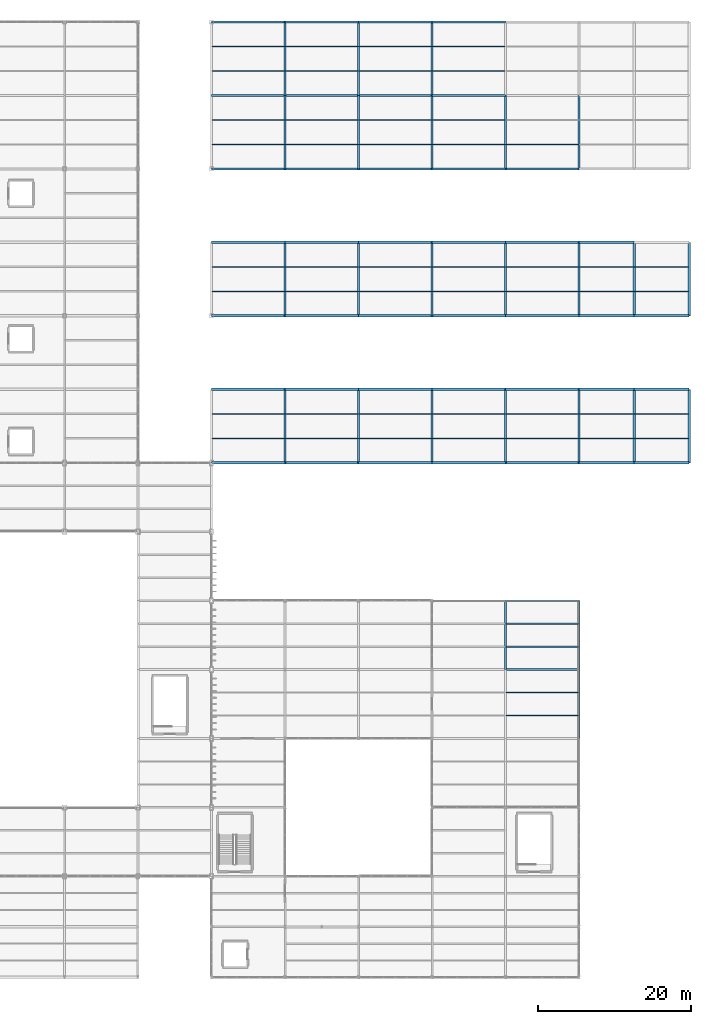
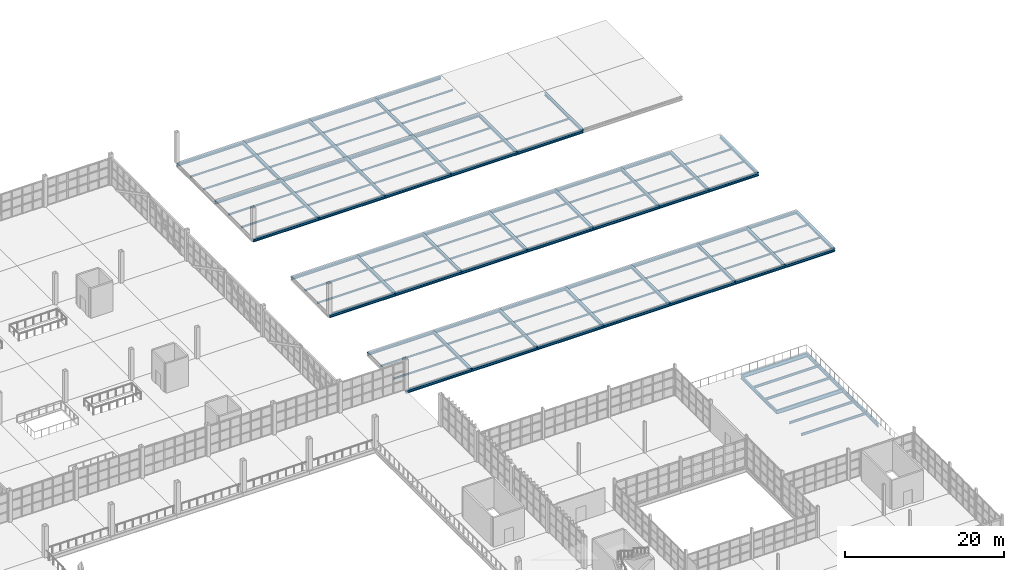
# One storey, part 71 of 120: 116 beams.
"""IFC4 building model written with IfcOpenShell, lengths in metres."""

from ifc_helpers import new_model, si_unit, direction, frame, origin, origin_2d, place, context, subcontext, project, spatial, i_section, extrude, material, material_profile, profile_set, type_object, element, save


model = new_model("IFC4")

# Units and contexts
model_context = context("Model", 3, precision=1e-05, world=origin(), true_north=direction((0.0, 1.0)))
body_context = subcontext(model_context, "Body", "Model", "MODEL_VIEW")
ifc_project = project(units=[si_unit("LENGTHUNIT", "METRE"), si_unit("AREAUNIT", "SQUARE_METRE"), si_unit("VOLUMEUNIT", "CUBIC_METRE"), si_unit("PLANEANGLEUNIT", "RADIAN"), si_unit("MASSUNIT", "GRAM", prefix="KILO")], contexts=[model_context])

# Site, building, storey
site_placement = place(None, origin())
site = spatial("IfcSite", under=ifc_project, at=site_placement, CompositionType="ELEMENT")
building_placement = place(site_placement, origin())
building = spatial("IfcBuilding", under=site, at=building_placement, Name="Zarnetskaya Central Station", CompositionType="ELEMENT")
storey_placement = place(building_placement, frame((0.0, 0.0, 5.39990234375)))
storey = spatial("IfcBuildingStorey", under=building, at=storey_placement, Name="L01", CompositionType="ELEMENT", Elevation=5.39990234375)

# Beams
ifc_material = material(Name="Steel S355", Category="steel")
ifc_material_profile_1 = material_profile(ifc_material, i_section(OverallWidth=0.135009765625, OverallDepth=0.27001953125, WebThickness=0.006591796875, FlangeThickness=0.01025390625, FilletRadius=0.014892578125, at=origin_2d()), Name="IPE 270")
ifc_profile_set_1 = profile_set([ifc_material_profile_1], Name="Steel S355")
beam_type_1 = type_object("IfcBeamType", Name="BM-JST-270", PredefinedType="JOIST", material=ifc_profile_set_1)
for number, where, z_axis, x_axis, name in (
    (1, (124.8798828125, 70.39990234375, -0.294921875), (1.0, 0.0, 0.0), (0.0, 1.0, 0.0), "Secondary floor beam SEC-L01-Z524-PQ-910-1"),
    (2, (124.8798828125, 73.60009765625, -0.294921875), (1.0, 0.0, 0.0), (0.0, 1.0, 0.0), "Secondary floor beam SEC-L01-Z524-PQ-910-2"),
    (3, (124.8798828125, 89.60009765625, -0.294921875), (1.0, 0.0, 0.0), (0.0, 1.0, 0.0), "Secondary floor beam SEC-L01-Z524-PQ-1112-1"),
    (4, (124.8798828125, 92.800048828125, -0.294921875), (1.0, 0.0, 0.0), (0.0, 1.0, 0.0), "Secondary floor beam SEC-L01-Z524-PQ-1112-2"),
    (5, (124.8798828125, 108.800048828125, -0.294921875), (1.0, 0.0, 0.0), (0.0, 1.0, 0.0), "Secondary floor beam SEC-L01-Z524-PQ-1314-1"),
    (6, (124.8798828125, 112.0, -0.294921875), (1.0, 0.0, 0.0), (0.0, 1.0, 0.0), "Secondary floor beam SEC-L01-Z524-PQ-1314-2"),
    (7, (124.8798828125, 118.39990234375, -0.294921875), (1.0, 0.0, 0.0), (0.0, 1.0, 0.0), "Secondary floor beam SEC-L01-Z524-PQ-1415-1"),
    (8, (124.8798828125, 121.60009765625, -0.294921875), (1.0, 0.0, 0.0), (0.0, 1.0, 0.0), "Secondary floor beam SEC-L01-Z524-PQ-1415-2"),
):
    element("IfcBeam", number, at=place(storey_placement, frame(where, z_axis=z_axis, x_axis=x_axis)), inside=storey, type_object=beam_type_1, Name=name, PredefinedType="JOIST", context=body_context, shape_type="SweptSolid", body=[
        extrude(i_section(OverallWidth=0.135009765625, OverallDepth=0.27001953125, WebThickness=0.006591796875, FlangeThickness=0.01025390625, FilletRadius=0.014892578125, at=origin_2d()), origin(), (0.0, 0.0, 1.0), 9.440185546875),
    ])
for number, where, z_axis, x_axis, name in (
    (9, (134.47998046875, 70.39990234375, -0.294921875), (1.0, 0.0, 0.0), (0.0, 1.0, 0.0), "Secondary floor beam SEC-L01-Z524-QR-910-1"),
    (10, (134.47998046875, 73.60009765625, -0.294921875), (1.0, 0.0, 0.0), (0.0, 1.0, 0.0), "Secondary floor beam SEC-L01-Z524-QR-910-2"),
    (11, (134.47998046875, 89.60009765625, -0.294921875), (1.0, 0.0, 0.0), (0.0, 1.0, 0.0), "Secondary floor beam SEC-L01-Z524-QR-1112-1"),
    (12, (134.47998046875, 92.800048828125, -0.294921875), (1.0, 0.0, 0.0), (0.0, 1.0, 0.0), "Secondary floor beam SEC-L01-Z524-QR-1112-2"),
    (13, (134.47998046875, 108.800048828125, -0.294921875), (1.0, 0.0, 0.0), (0.0, 1.0, 0.0), "Secondary floor beam SEC-L01-Z524-QR-1314-1"),
    (14, (134.47998046875, 112.0, -0.294921875), (1.0, 0.0, 0.0), (0.0, 1.0, 0.0), "Secondary floor beam SEC-L01-Z524-QR-1314-2"),
    (15, (134.47998046875, 118.39990234375, -0.294921875), (1.0, 0.0, 0.0), (0.0, 1.0, 0.0), "Secondary floor beam SEC-L01-Z524-QR-1415-1"),
    (16, (134.47998046875, 121.60009765625, -0.294921875), (1.0, 0.0, 0.0), (0.0, 1.0, 0.0), "Secondary floor beam SEC-L01-Z524-QR-1415-2"),
    (17, (144.080078125, 70.39990234375, -0.294921875), (1.0, 0.0, 0.0), (0.0, 1.0, 0.0), "Secondary floor beam SEC-L01-Z524-RS-910-1"),
    (18, (144.080078125, 73.60009765625, -0.294921875), (1.0, 0.0, 0.0), (0.0, 1.0, 0.0), "Secondary floor beam SEC-L01-Z524-RS-910-2"),
    (19, (144.080078125, 89.60009765625, -0.294921875), (1.0, 0.0, 0.0), (0.0, 1.0, 0.0), "Secondary floor beam SEC-L01-Z524-RS-1112-1"),
    (20, (144.080078125, 92.800048828125, -0.294921875), (1.0, 0.0, 0.0), (0.0, 1.0, 0.0), "Secondary floor beam SEC-L01-Z524-RS-1112-2"),
    (21, (144.080078125, 108.800048828125, -0.294921875), (1.0, 0.0, 0.0), (0.0, 1.0, 0.0), "Secondary floor beam SEC-L01-Z524-RS-1314-1"),
    (22, (144.080078125, 112.0, -0.294921875), (1.0, 0.0, 0.0), (0.0, 1.0, 0.0), "Secondary floor beam SEC-L01-Z524-RS-1314-2"),
    (23, (144.080078125, 118.39990234375, -0.294921875), (1.0, 0.0, 0.0), (0.0, 1.0, 0.0), "Secondary floor beam SEC-L01-Z524-RS-1415-1"),
    (24, (144.080078125, 121.60009765625, -0.294921875), (1.0, 0.0, 0.0), (0.0, 1.0, 0.0), "Secondary floor beam SEC-L01-Z524-RS-1415-2"),
):
    element("IfcBeam", number, at=place(storey_placement, frame(where, z_axis=z_axis, x_axis=x_axis)), inside=storey, type_object=beam_type_1, Name=name, PredefinedType="JOIST", context=body_context, shape_type="SweptSolid", body=[
        extrude(i_section(OverallWidth=0.135009765625, OverallDepth=0.27001953125, WebThickness=0.006591796875, FlangeThickness=0.01025390625, FilletRadius=0.014892578125, at=origin_2d()), origin(), (0.0, 0.0, 1.0), 9.43994140625),
    ])
for number, where, z_axis, x_axis, name in (
    (25, (153.679931640625, 70.39990234375, -0.294921875), (1.0, 0.0, 0.0), (0.0, 1.0, 0.0), "Secondary floor beam SEC-L01-Z524-ST-910-1"),
    (26, (153.679931640625, 73.60009765625, -0.294921875), (1.0, 0.0, 0.0), (0.0, 1.0, 0.0), "Secondary floor beam SEC-L01-Z524-ST-910-2"),
    (27, (153.679931640625, 89.60009765625, -0.294921875), (1.0, 0.0, 0.0), (0.0, 1.0, 0.0), "Secondary floor beam SEC-L01-Z524-ST-1112-1"),
    (28, (153.679931640625, 92.800048828125, -0.294921875), (1.0, 0.0, 0.0), (0.0, 1.0, 0.0), "Secondary floor beam SEC-L01-Z524-ST-1112-2"),
    (29, (153.679931640625, 108.800048828125, -0.294921875), (1.0, 0.0, 0.0), (0.0, 1.0, 0.0), "Secondary floor beam SEC-L01-Z524-ST-1314-1"),
    (30, (153.679931640625, 112.0, -0.294921875), (1.0, 0.0, 0.0), (0.0, 1.0, 0.0), "Secondary floor beam SEC-L01-Z524-ST-1314-2"),
    (31, (153.679931640625, 118.39990234375, -0.294921875), (1.0, 0.0, 0.0), (0.0, 1.0, 0.0), "Secondary floor beam SEC-L01-Z524-ST-1415-1"),
    (32, (153.679931640625, 121.60009765625, -0.294921875), (1.0, 0.0, 0.0), (0.0, 1.0, 0.0), "Secondary floor beam SEC-L01-Z524-ST-1415-2"),
):
    element("IfcBeam", number, at=place(storey_placement, frame(where, z_axis=z_axis, x_axis=x_axis)), inside=storey, type_object=beam_type_1, Name=name, PredefinedType="JOIST", context=body_context, shape_type="SweptSolid", body=[
        extrude(i_section(OverallWidth=0.135009765625, OverallDepth=0.27001953125, WebThickness=0.006591796875, FlangeThickness=0.01025390625, FilletRadius=0.014892578125, at=origin_2d()), origin(), (0.0, 0.0, 1.0), 9.440185546875),
    ])
for number, where, z_axis, x_axis, name in (
    (33, (163.280029296875, 70.39990234375, -0.294921875), (1.0, 0.0, 0.0), (0.0, 1.0, 0.0), "Secondary floor beam SEC-L01-Z524-TU-910-1"),
    (34, (163.280029296875, 73.60009765625, -0.294921875), (1.0, 0.0, 0.0), (0.0, 1.0, 0.0), "Secondary floor beam SEC-L01-Z524-TU-910-2"),
    (35, (163.280029296875, 89.60009765625, -0.294921875), (1.0, 0.0, 0.0), (0.0, 1.0, 0.0), "Secondary floor beam SEC-L01-Z524-TU-1112-1"),
    (36, (163.280029296875, 92.800048828125, -0.294921875), (1.0, 0.0, 0.0), (0.0, 1.0, 0.0), "Secondary floor beam SEC-L01-Z524-TU-1112-2"),
    (37, (163.280029296875, 108.800048828125, -0.294921875), (1.0, 0.0, 0.0), (0.0, 1.0, 0.0), "Secondary floor beam SEC-L01-Z524-TU-1314-1"),
):
    element("IfcBeam", number, at=place(storey_placement, frame(where, z_axis=z_axis, x_axis=x_axis)), inside=storey, type_object=beam_type_1, Name=name, PredefinedType="JOIST", context=body_context, shape_type="SweptSolid", body=[
        extrude(i_section(OverallWidth=0.135009765625, OverallDepth=0.27001953125, WebThickness=0.006591796875, FlangeThickness=0.01025390625, FilletRadius=0.014892578125, at=origin_2d()), origin(), (0.0, 0.0, 1.0), 9.43994140625),
    ])
for number, where, z_axis, x_axis, name in (
    (38, (172.8798828125, 70.39990234375, -0.294921875), (1.0, 0.0, 0.0), (0.0, 1.0, 0.0), "Secondary floor beam SEC-L01-Z524-UV-910-1"),
    (39, (172.8798828125, 73.60009765625, -0.294921875), (1.0, 0.0, 0.0), (0.0, 1.0, 0.0), "Secondary floor beam SEC-L01-Z524-UV-910-2"),
    (40, (172.8798828125, 89.60009765625, -0.294921875), (1.0, 0.0, 0.0), (0.0, 1.0, 0.0), "Secondary floor beam SEC-L01-Z524-UV-1112-1"),
    (41, (172.8798828125, 92.800048828125, -0.294921875), (1.0, 0.0, 0.0), (0.0, 1.0, 0.0), "Secondary floor beam SEC-L01-Z524-UV-1112-2"),
    (42, (180.080078125, 70.39990234375, -0.294921875), (1.0, 0.0, 0.0), (0.0, 1.0, 0.0), "Secondary floor beam SEC-L01-Z524-VW-910-1"),
    (43, (180.080078125, 73.60009765625, -0.294921875), (1.0, 0.0, 0.0), (0.0, 1.0, 0.0), "Secondary floor beam SEC-L01-Z524-VW-910-2"),
    (44, (180.080078125, 89.60009765625, -0.294921875), (1.0, 0.0, 0.0), (0.0, 1.0, 0.0), "Secondary floor beam SEC-L01-Z524-VW-1112-1"),
    (45, (180.080078125, 92.800048828125, -0.294921875), (1.0, 0.0, 0.0), (0.0, 1.0, 0.0), "Secondary floor beam SEC-L01-Z524-VW-1112-2"),
):
    element("IfcBeam", number, at=place(storey_placement, frame(where, z_axis=z_axis, x_axis=x_axis)), inside=storey, type_object=beam_type_1, Name=name, PredefinedType="JOIST", context=body_context, shape_type="SweptSolid", body=[
        extrude(i_section(OverallWidth=0.135009765625, OverallDepth=0.27001953125, WebThickness=0.006591796875, FlangeThickness=0.01025390625, FilletRadius=0.014892578125, at=origin_2d()), origin(), (0.0, 0.0, 1.0), 7.0400390625),
    ])
ifc_material_profile_2 = material_profile(ifc_material, i_section(OverallWidth=0.169921875, OverallDepth=0.360107421875, WebThickness=0.008056640625, FlangeThickness=0.0126953125, FilletRadius=0.01806640625, at=origin_2d()), Name="IPE 360")
ifc_profile_set_2 = profile_set([ifc_material_profile_2], Name="Steel S355")
beam_type_2 = type_object("IfcBeamType", Name="BM-SEC-360", PredefinedType="BEAM", material=ifc_profile_set_2)
for number, where, z_axis, x_axis, name in (
    (46, (163.280029296875, 34.199951171875, -0.39990234375), (1.0, 0.0, 0.0), (0.0, 1.0, 0.0), "Secondary floor beam SEC-L01-Z518-TU-56-1"),
    (47, (163.280029296875, 37.199951171875, -0.39990234375), (1.0, 0.0, 0.0), (0.0, 1.0, 0.0), "Secondary floor beam SEC-L01-Z518-TU-56-2"),
    (48, (163.280029296875, 43.199951171875, -0.39990234375), (1.0, 0.0, 0.0), (0.0, 1.0, 0.0), "Secondary floor beam SEC-L01-Z518-TU-67-1"),
    (49, (163.280029296875, 46.199951171875, -0.39990234375), (1.0, 0.0, 0.0), (0.0, 1.0, 0.0), "Secondary floor beam SEC-L01-Z518-TU-67-2"),
):
    element("IfcBeam", number, at=place(storey_placement, frame(where, z_axis=z_axis, x_axis=x_axis)), inside=storey, type_object=beam_type_2, Name=name, PredefinedType="BEAM", context=body_context, shape_type="SweptSolid", body=[
        extrude(i_section(OverallWidth=0.169921875, OverallDepth=0.360107421875, WebThickness=0.008056640625, FlangeThickness=0.0126953125, FilletRadius=0.01806640625, at=origin_2d()), origin(), (0.0, 0.0, 1.0), 9.43994140625),
    ])
ifc_material_profile_3 = material_profile(ifc_material, i_section(OverallWidth=0.2099609375, OverallDepth=0.550048828125, WebThickness=0.010986328125, FlangeThickness=0.01708984375, FilletRadius=0.02392578125, at=origin_2d()), Name="IPE 550")
ifc_profile_set_3 = profile_set([ifc_material_profile_3], Name="Steel S355")
beam_type_3 = type_object("IfcBeamType", Name="GD-FLR-550", PredefinedType="USERDEFINED", material=ifc_profile_set_3)
for number, where, z_axis, x_axis, name in (
    (50, (163.199951171875, 40.199951171875, -0.494873046875), (0.0, 1.0, 0.0), (-1.0, 0.0, 0.0), "Grid girder GY-L01-T-67"),
    (51, (172.800048828125, 31.199951171875, -0.494873046875), (0.0, 1.0, 0.0), (-1.0, 0.0, 0.0), "Grid girder GY-L01-U-56"),
    (52, (172.800048828125, 40.199951171875, -0.494873046875), (0.0, 1.0, 0.0), (-1.0, 0.0, 0.0), "Grid girder GY-L01-U-67"),
):
    element("IfcBeam", number, at=place(storey_placement, frame(where, z_axis=z_axis, x_axis=x_axis)), inside=storey, type_object=beam_type_3, Name=name, ObjectType="GIRDER", PredefinedType="USERDEFINED", context=body_context, shape_type="SweptSolid", body=[
        extrude(i_section(OverallWidth=0.2099609375, OverallDepth=0.550048828125, WebThickness=0.010986328125, FlangeThickness=0.01708984375, FilletRadius=0.02392578125, at=origin_2d()), origin(), (0.0, 0.0, 1.0), 9.0),
    ])
ifc_material_profile_4 = material_profile(ifc_material, i_section(OverallWidth=0.219970703125, OverallDepth=0.60009765625, WebThickness=0.011962890625, FlangeThickness=0.01904296875, FilletRadius=0.02392578125, at=origin_2d()), Name="IPE 600")
ifc_profile_set_4 = profile_set([ifc_material_profile_4], Name="Steel S355")
beam_type_4 = type_object("IfcBeamType", Name="GD-FLR-600", PredefinedType="USERDEFINED", material=ifc_profile_set_4)
for number, where, z_axis, x_axis, name in (
    (53, (163.199951171875, 40.199951171875, -0.52001953125), (1.0, 0.0, 0.0), (0.0, 1.0, 0.0), "Grid girder GX-L01-6-TU"),
    (54, (163.199951171875, 49.199951171875, -0.52001953125), (1.0, 0.0, 0.0), (0.0, 1.0, 0.0), "Grid girder GX-L01-7-TU"),
):
    element("IfcBeam", number, at=place(storey_placement, frame(where, z_axis=z_axis, x_axis=x_axis)), inside=storey, type_object=beam_type_4, Name=name, ObjectType="GIRDER", PredefinedType="USERDEFINED", context=body_context, shape_type="SweptSolid", body=[
        extrude(i_section(OverallWidth=0.219970703125, OverallDepth=0.60009765625, WebThickness=0.011962890625, FlangeThickness=0.01904296875, FilletRadius=0.02392578125, at=origin_2d()), origin(), (0.0, 0.0, 1.0), 9.60009765625),
    ])
ifc_material_profile_5 = material_profile(ifc_material, i_section(OverallWidth=0.300048828125, OverallDepth=0.389892578125, WebThickness=0.010986328125, FlangeThickness=0.01904296875, FilletRadius=0.027099609375, at=origin_2d()), Name="HEA 400")
ifc_profile_set_5 = profile_set([ifc_material_profile_5], Name="Steel S355")
beam_type_5 = type_object("IfcBeamType", Name="GD-ROOF-400", PredefinedType="USERDEFINED", material=ifc_profile_set_5)
for number, where, z_axis, x_axis, name in (
    (55, (124.800048828125, 67.199951171875, -0.35498046875), (1.0, 0.0, 0.0), (0.0, 1.0, 0.0), "Grid girder GX-L01-9-PQ"),
    (56, (124.800048828125, 76.800048828125, -0.35498046875), (1.0, 0.0, 0.0), (0.0, 1.0, 0.0), "Grid girder GX-L01-10-PQ"),
    (57, (124.800048828125, 86.39990234375, -0.35498046875), (1.0, 0.0, 0.0), (0.0, 1.0, 0.0), "Grid girder GX-L01-11-PQ"),
    (58, (124.800048828125, 96.0, -0.35498046875), (1.0, 0.0, 0.0), (0.0, 1.0, 0.0), "Grid girder GX-L01-12-PQ"),
    (59, (124.800048828125, 105.60009765625, -0.35498046875), (1.0, 0.0, 0.0), (0.0, 1.0, 0.0), "Grid girder GX-L01-13-PQ"),
    (60, (124.800048828125, 115.199951171875, -0.35498046875), (1.0, 0.0, 0.0), (0.0, 1.0, 0.0), "Grid girder GX-L01-14-PQ"),
    (61, (124.800048828125, 124.800048828125, -0.35498046875), (1.0, 0.0, 0.0), (0.0, 1.0, 0.0), "Grid girder GX-L01-15-PQ"),
):
    element("IfcBeam", number, at=place(storey_placement, frame(where, z_axis=z_axis, x_axis=x_axis)), inside=storey, type_object=beam_type_5, Name=name, ObjectType="GIRDER", PredefinedType="USERDEFINED", context=body_context, shape_type="SweptSolid", body=[
        extrude(i_section(OverallWidth=0.300048828125, OverallDepth=0.389892578125, WebThickness=0.010986328125, FlangeThickness=0.01904296875, FilletRadius=0.027099609375, at=origin_2d()), origin(), (0.0, 0.0, 1.0), 9.599853515625),
    ])
for number, where, z_axis, x_axis, name in (
    (62, (134.39990234375, 67.199951171875, -0.35498046875), (0.0, 1.0, 0.0), (-1.0, 0.0, 0.0), "Grid girder GY-L01-Q-910"),
    (63, (134.39990234375, 67.199951171875, -0.35498046875), (1.0, 0.0, 0.0), (0.0, 1.0, 0.0), "Grid girder GX-L01-9-QR"),
    (64, (134.39990234375, 76.800048828125, -0.35498046875), (1.0, 0.0, 0.0), (0.0, 1.0, 0.0), "Grid girder GX-L01-10-QR"),
    (65, (134.39990234375, 86.39990234375, -0.35498046875), (0.0, 1.0, 0.0), (-1.0, 0.0, 0.0), "Grid girder GY-L01-Q-1112"),
    (66, (134.39990234375, 86.39990234375, -0.35498046875), (1.0, 0.0, 0.0), (0.0, 1.0, 0.0), "Grid girder GX-L01-11-QR"),
    (67, (134.39990234375, 96.0, -0.35498046875), (1.0, 0.0, 0.0), (0.0, 1.0, 0.0), "Grid girder GX-L01-12-QR"),
):
    element("IfcBeam", number, at=place(storey_placement, frame(where, z_axis=z_axis, x_axis=x_axis)), inside=storey, type_object=beam_type_5, Name=name, ObjectType="GIRDER", PredefinedType="USERDEFINED", context=body_context, shape_type="SweptSolid", body=[
        extrude(i_section(OverallWidth=0.300048828125, OverallDepth=0.389892578125, WebThickness=0.010986328125, FlangeThickness=0.01904296875, FilletRadius=0.027099609375, at=origin_2d()), origin(), (0.0, 0.0, 1.0), 9.60009765625),
    ])
beam_1_placement = place(storey_placement, frame((134.39990234375, 105.60009765625, -0.35498046875), z_axis=(0.0, 1.0, 0.0), x_axis=(-1.0, 0.0, 0.0)))
element("IfcBeam", 68, at=beam_1_placement, inside=storey, type_object=beam_type_5, Name="Grid girder GY-L01-Q-1314", ObjectType="GIRDER", PredefinedType="USERDEFINED", context=body_context, shape_type="SweptSolid", body=[
    extrude(i_section(OverallWidth=0.300048828125, OverallDepth=0.389892578125, WebThickness=0.010986328125, FlangeThickness=0.01904296875, FilletRadius=0.027099609375, at=origin_2d()), origin(), (0.0, 0.0, 1.0), 9.599853515625),
])
for number, where, z_axis, x_axis, name in (
    (69, (134.39990234375, 105.60009765625, -0.35498046875), (1.0, 0.0, 0.0), (0.0, 1.0, 0.0), "Grid girder GX-L01-13-QR"),
    (70, (134.39990234375, 115.199951171875, -0.35498046875), (0.0, 1.0, 0.0), (-1.0, 0.0, 0.0), "Grid girder GY-L01-Q-1415"),
    (71, (134.39990234375, 115.199951171875, -0.35498046875), (1.0, 0.0, 0.0), (0.0, 1.0, 0.0), "Grid girder GX-L01-14-QR"),
    (72, (134.39990234375, 124.800048828125, -0.35498046875), (1.0, 0.0, 0.0), (0.0, 1.0, 0.0), "Grid girder GX-L01-15-QR"),
    (73, (144.0, 67.199951171875, -0.35498046875), (0.0, 1.0, 0.0), (-1.0, 0.0, 0.0), "Grid girder GY-L01-R-910"),
    (74, (144.0, 67.199951171875, -0.35498046875), (1.0, 0.0, 0.0), (0.0, 1.0, 0.0), "Grid girder GX-L01-9-RS"),
    (75, (144.0, 76.800048828125, -0.35498046875), (1.0, 0.0, 0.0), (0.0, 1.0, 0.0), "Grid girder GX-L01-10-RS"),
    (76, (144.0, 86.39990234375, -0.35498046875), (0.0, 1.0, 0.0), (-1.0, 0.0, 0.0), "Grid girder GY-L01-R-1112"),
    (77, (144.0, 86.39990234375, -0.35498046875), (1.0, 0.0, 0.0), (0.0, 1.0, 0.0), "Grid girder GX-L01-11-RS"),
    (78, (144.0, 96.0, -0.35498046875), (1.0, 0.0, 0.0), (0.0, 1.0, 0.0), "Grid girder GX-L01-12-RS"),
):
    element("IfcBeam", number, at=place(storey_placement, frame(where, z_axis=z_axis, x_axis=x_axis)), inside=storey, type_object=beam_type_5, Name=name, ObjectType="GIRDER", PredefinedType="USERDEFINED", context=body_context, shape_type="SweptSolid", body=[
        extrude(i_section(OverallWidth=0.300048828125, OverallDepth=0.389892578125, WebThickness=0.010986328125, FlangeThickness=0.01904296875, FilletRadius=0.027099609375, at=origin_2d()), origin(), (0.0, 0.0, 1.0), 9.60009765625),
    ])
beam_2_placement = place(storey_placement, frame((144.0, 105.60009765625, -0.35498046875), z_axis=(0.0, 1.0, 0.0), x_axis=(-1.0, 0.0, 0.0)))
element("IfcBeam", 79, at=beam_2_placement, inside=storey, type_object=beam_type_5, Name="Grid girder GY-L01-R-1314", ObjectType="GIRDER", PredefinedType="USERDEFINED", context=body_context, shape_type="SweptSolid", body=[
    extrude(i_section(OverallWidth=0.300048828125, OverallDepth=0.389892578125, WebThickness=0.010986328125, FlangeThickness=0.01904296875, FilletRadius=0.027099609375, at=origin_2d()), origin(), (0.0, 0.0, 1.0), 9.599853515625),
])
for number, where, z_axis, x_axis, name in (
    (80, (144.0, 105.60009765625, -0.35498046875), (1.0, 0.0, 0.0), (0.0, 1.0, 0.0), "Grid girder GX-L01-13-RS"),
    (81, (144.0, 115.199951171875, -0.35498046875), (0.0, 1.0, 0.0), (-1.0, 0.0, 0.0), "Grid girder GY-L01-R-1415"),
    (82, (144.0, 115.199951171875, -0.35498046875), (1.0, 0.0, 0.0), (0.0, 1.0, 0.0), "Grid girder GX-L01-14-RS"),
    (83, (144.0, 124.800048828125, -0.35498046875), (1.0, 0.0, 0.0), (0.0, 1.0, 0.0), "Grid girder GX-L01-15-RS"),
    (84, (153.60009765625, 67.199951171875, -0.35498046875), (0.0, 1.0, 0.0), (-1.0, 0.0, 0.0), "Grid girder GY-L01-S-910"),
):
    element("IfcBeam", number, at=place(storey_placement, frame(where, z_axis=z_axis, x_axis=x_axis)), inside=storey, type_object=beam_type_5, Name=name, ObjectType="GIRDER", PredefinedType="USERDEFINED", context=body_context, shape_type="SweptSolid", body=[
        extrude(i_section(OverallWidth=0.300048828125, OverallDepth=0.389892578125, WebThickness=0.010986328125, FlangeThickness=0.01904296875, FilletRadius=0.027099609375, at=origin_2d()), origin(), (0.0, 0.0, 1.0), 9.60009765625),
    ])
for number, where, z_axis, x_axis, name in (
    (85, (153.60009765625, 67.199951171875, -0.35498046875), (1.0, 0.0, 0.0), (0.0, 1.0, 0.0), "Grid girder GX-L01-9-ST"),
    (86, (153.60009765625, 76.800048828125, -0.35498046875), (1.0, 0.0, 0.0), (0.0, 1.0, 0.0), "Grid girder GX-L01-10-ST"),
):
    element("IfcBeam", number, at=place(storey_placement, frame(where, z_axis=z_axis, x_axis=x_axis)), inside=storey, type_object=beam_type_5, Name=name, ObjectType="GIRDER", PredefinedType="USERDEFINED", context=body_context, shape_type="SweptSolid", body=[
        extrude(i_section(OverallWidth=0.300048828125, OverallDepth=0.389892578125, WebThickness=0.010986328125, FlangeThickness=0.01904296875, FilletRadius=0.027099609375, at=origin_2d()), origin(), (0.0, 0.0, 1.0), 9.599853515625),
    ])
beam_3_placement = place(storey_placement, frame((153.60009765625, 86.39990234375, -0.35498046875), z_axis=(0.0, 1.0, 0.0), x_axis=(-1.0, 0.0, 0.0)))
element("IfcBeam", 87, at=beam_3_placement, inside=storey, type_object=beam_type_5, Name="Grid girder GY-L01-S-1112", ObjectType="GIRDER", PredefinedType="USERDEFINED", context=body_context, shape_type="SweptSolid", body=[
    extrude(i_section(OverallWidth=0.300048828125, OverallDepth=0.389892578125, WebThickness=0.010986328125, FlangeThickness=0.01904296875, FilletRadius=0.027099609375, at=origin_2d()), origin(), (0.0, 0.0, 1.0), 9.60009765625),
])
for number, where, z_axis, x_axis, name in (
    (88, (153.60009765625, 86.39990234375, -0.35498046875), (1.0, 0.0, 0.0), (0.0, 1.0, 0.0), "Grid girder GX-L01-11-ST"),
    (89, (153.60009765625, 96.0, -0.35498046875), (1.0, 0.0, 0.0), (0.0, 1.0, 0.0), "Grid girder GX-L01-12-ST"),
    (90, (153.60009765625, 105.60009765625, -0.35498046875), (0.0, 1.0, 0.0), (-1.0, 0.0, 0.0), "Grid girder GY-L01-S-1314"),
    (91, (153.60009765625, 105.60009765625, -0.35498046875), (1.0, 0.0, 0.0), (0.0, 1.0, 0.0), "Grid girder GX-L01-13-ST"),
):
    element("IfcBeam", number, at=place(storey_placement, frame(where, z_axis=z_axis, x_axis=x_axis)), inside=storey, type_object=beam_type_5, Name=name, ObjectType="GIRDER", PredefinedType="USERDEFINED", context=body_context, shape_type="SweptSolid", body=[
        extrude(i_section(OverallWidth=0.300048828125, OverallDepth=0.389892578125, WebThickness=0.010986328125, FlangeThickness=0.01904296875, FilletRadius=0.027099609375, at=origin_2d()), origin(), (0.0, 0.0, 1.0), 9.599853515625),
    ])
beam_4_placement = place(storey_placement, frame((153.60009765625, 115.199951171875, -0.35498046875), z_axis=(0.0, 1.0, 0.0), x_axis=(-1.0, 0.0, 0.0)))
element("IfcBeam", 92, at=beam_4_placement, inside=storey, type_object=beam_type_5, Name="Grid girder GY-L01-S-1415", ObjectType="GIRDER", PredefinedType="USERDEFINED", context=body_context, shape_type="SweptSolid", body=[
    extrude(i_section(OverallWidth=0.300048828125, OverallDepth=0.389892578125, WebThickness=0.010986328125, FlangeThickness=0.01904296875, FilletRadius=0.027099609375, at=origin_2d()), origin(), (0.0, 0.0, 1.0), 9.60009765625),
])
for number, where, z_axis, x_axis, name in (
    (93, (153.60009765625, 115.199951171875, -0.35498046875), (1.0, 0.0, 0.0), (0.0, 1.0, 0.0), "Grid girder GX-L01-14-ST"),
    (94, (153.60009765625, 124.800048828125, -0.35498046875), (1.0, 0.0, 0.0), (0.0, 1.0, 0.0), "Grid girder GX-L01-15-ST"),
):
    element("IfcBeam", number, at=place(storey_placement, frame(where, z_axis=z_axis, x_axis=x_axis)), inside=storey, type_object=beam_type_5, Name=name, ObjectType="GIRDER", PredefinedType="USERDEFINED", context=body_context, shape_type="SweptSolid", body=[
        extrude(i_section(OverallWidth=0.300048828125, OverallDepth=0.389892578125, WebThickness=0.010986328125, FlangeThickness=0.01904296875, FilletRadius=0.027099609375, at=origin_2d()), origin(), (0.0, 0.0, 1.0), 9.599853515625),
    ])
for number, where, z_axis, x_axis, name in (
    (95, (163.199951171875, 67.199951171875, -0.35498046875), (0.0, 1.0, 0.0), (-1.0, 0.0, 0.0), "Grid girder GY-L01-T-910"),
    (96, (163.199951171875, 67.199951171875, -0.35498046875), (1.0, 0.0, 0.0), (0.0, 1.0, 0.0), "Grid girder GX-L01-9-TU"),
    (97, (163.199951171875, 76.800048828125, -0.35498046875), (1.0, 0.0, 0.0), (0.0, 1.0, 0.0), "Grid girder GX-L01-10-TU"),
    (98, (163.199951171875, 86.39990234375, -0.35498046875), (0.0, 1.0, 0.0), (-1.0, 0.0, 0.0), "Grid girder GY-L01-T-1112"),
    (99, (163.199951171875, 86.39990234375, -0.35498046875), (1.0, 0.0, 0.0), (0.0, 1.0, 0.0), "Grid girder GX-L01-11-TU"),
    (100, (163.199951171875, 96.0, -0.35498046875), (1.0, 0.0, 0.0), (0.0, 1.0, 0.0), "Grid girder GX-L01-12-TU"),
):
    element("IfcBeam", number, at=place(storey_placement, frame(where, z_axis=z_axis, x_axis=x_axis)), inside=storey, type_object=beam_type_5, Name=name, ObjectType="GIRDER", PredefinedType="USERDEFINED", context=body_context, shape_type="SweptSolid", body=[
        extrude(i_section(OverallWidth=0.300048828125, OverallDepth=0.389892578125, WebThickness=0.010986328125, FlangeThickness=0.01904296875, FilletRadius=0.027099609375, at=origin_2d()), origin(), (0.0, 0.0, 1.0), 9.60009765625),
    ])
beam_5_placement = place(storey_placement, frame((163.199951171875, 105.60009765625, -0.35498046875), z_axis=(0.0, 1.0, 0.0), x_axis=(-1.0, 0.0, 0.0)))
element("IfcBeam", 101, at=beam_5_placement, inside=storey, type_object=beam_type_5, Name="Grid girder GY-L01-T-1314", ObjectType="GIRDER", PredefinedType="USERDEFINED", context=body_context, shape_type="SweptSolid", body=[
    extrude(i_section(OverallWidth=0.300048828125, OverallDepth=0.389892578125, WebThickness=0.010986328125, FlangeThickness=0.01904296875, FilletRadius=0.027099609375, at=origin_2d()), origin(), (0.0, 0.0, 1.0), 9.599853515625),
])
for number, where, z_axis, x_axis, name in (
    (102, (163.199951171875, 105.60009765625, -0.35498046875), (1.0, 0.0, 0.0), (0.0, 1.0, 0.0), "Grid girder GX-L01-13-TU"),
    (103, (172.800048828125, 67.199951171875, -0.35498046875), (0.0, 1.0, 0.0), (-1.0, 0.0, 0.0), "Grid girder GY-L01-U-910"),
):
    element("IfcBeam", number, at=place(storey_placement, frame(where, z_axis=z_axis, x_axis=x_axis)), inside=storey, type_object=beam_type_5, Name=name, ObjectType="GIRDER", PredefinedType="USERDEFINED", context=body_context, shape_type="SweptSolid", body=[
        extrude(i_section(OverallWidth=0.300048828125, OverallDepth=0.389892578125, WebThickness=0.010986328125, FlangeThickness=0.01904296875, FilletRadius=0.027099609375, at=origin_2d()), origin(), (0.0, 0.0, 1.0), 9.60009765625),
    ])
for number, where, z_axis, x_axis, name in (
    (104, (172.800048828125, 67.199951171875, -0.35498046875), (1.0, 0.0, 0.0), (0.0, 1.0, 0.0), "Grid girder GX-L01-9-UV"),
    (105, (172.800048828125, 76.800048828125, -0.35498046875), (1.0, 0.0, 0.0), (0.0, 1.0, 0.0), "Grid girder GX-L01-10-UV"),
):
    element("IfcBeam", number, at=place(storey_placement, frame(where, z_axis=z_axis, x_axis=x_axis)), inside=storey, type_object=beam_type_5, Name=name, ObjectType="GIRDER", PredefinedType="USERDEFINED", context=body_context, shape_type="SweptSolid", body=[
        extrude(i_section(OverallWidth=0.300048828125, OverallDepth=0.389892578125, WebThickness=0.010986328125, FlangeThickness=0.01904296875, FilletRadius=0.027099609375, at=origin_2d()), origin(), (0.0, 0.0, 1.0), 7.199951171875),
    ])
beam_6_placement = place(storey_placement, frame((172.800048828125, 86.39990234375, -0.35498046875), z_axis=(0.0, 1.0, 0.0), x_axis=(-1.0, 0.0, 0.0)))
element("IfcBeam", 106, at=beam_6_placement, inside=storey, type_object=beam_type_5, Name="Grid girder GY-L01-U-1112", ObjectType="GIRDER", PredefinedType="USERDEFINED", context=body_context, shape_type="SweptSolid", body=[
    extrude(i_section(OverallWidth=0.300048828125, OverallDepth=0.389892578125, WebThickness=0.010986328125, FlangeThickness=0.01904296875, FilletRadius=0.027099609375, at=origin_2d()), origin(), (0.0, 0.0, 1.0), 9.60009765625),
])
for number, where, z_axis, x_axis, name in (
    (107, (172.800048828125, 86.39990234375, -0.35498046875), (1.0, 0.0, 0.0), (0.0, 1.0, 0.0), "Grid girder GX-L01-11-UV"),
    (108, (172.800048828125, 96.0, -0.35498046875), (1.0, 0.0, 0.0), (0.0, 1.0, 0.0), "Grid girder GX-L01-12-UV"),
):
    element("IfcBeam", number, at=place(storey_placement, frame(where, z_axis=z_axis, x_axis=x_axis)), inside=storey, type_object=beam_type_5, Name=name, ObjectType="GIRDER", PredefinedType="USERDEFINED", context=body_context, shape_type="SweptSolid", body=[
        extrude(i_section(OverallWidth=0.300048828125, OverallDepth=0.389892578125, WebThickness=0.010986328125, FlangeThickness=0.01904296875, FilletRadius=0.027099609375, at=origin_2d()), origin(), (0.0, 0.0, 1.0), 7.199951171875),
    ])
beam_7_placement = place(storey_placement, frame((172.800048828125, 105.60009765625, -0.35498046875), z_axis=(0.0, 1.0, 0.0), x_axis=(-1.0, 0.0, 0.0)))
element("IfcBeam", 109, at=beam_7_placement, inside=storey, type_object=beam_type_5, Name="Grid girder GY-L01-U-1314", ObjectType="GIRDER", PredefinedType="USERDEFINED", context=body_context, shape_type="SweptSolid", body=[
    extrude(i_section(OverallWidth=0.300048828125, OverallDepth=0.389892578125, WebThickness=0.010986328125, FlangeThickness=0.01904296875, FilletRadius=0.027099609375, at=origin_2d()), origin(), (0.0, 0.0, 1.0), 9.599853515625),
])
beam_8_placement = place(storey_placement, frame((180.0, 67.199951171875, -0.35498046875), z_axis=(0.0, 1.0, 0.0), x_axis=(-1.0, 0.0, 0.0)))
element("IfcBeam", 110, at=beam_8_placement, inside=storey, type_object=beam_type_5, Name="Grid girder GY-L01-V-910", ObjectType="GIRDER", PredefinedType="USERDEFINED", context=body_context, shape_type="SweptSolid", body=[
    extrude(i_section(OverallWidth=0.300048828125, OverallDepth=0.389892578125, WebThickness=0.010986328125, FlangeThickness=0.01904296875, FilletRadius=0.027099609375, at=origin_2d()), origin(), (0.0, 0.0, 1.0), 9.60009765625),
])
for number, where, z_axis, x_axis, name in (
    (111, (180.0, 67.199951171875, -0.35498046875), (1.0, 0.0, 0.0), (0.0, 1.0, 0.0), "Grid girder GX-L01-9-VW"),
    (112, (180.0, 76.800048828125, -0.35498046875), (1.0, 0.0, 0.0), (0.0, 1.0, 0.0), "Grid girder GX-L01-10-VW"),
):
    element("IfcBeam", number, at=place(storey_placement, frame(where, z_axis=z_axis, x_axis=x_axis)), inside=storey, type_object=beam_type_5, Name=name, ObjectType="GIRDER", PredefinedType="USERDEFINED", context=body_context, shape_type="SweptSolid", body=[
        extrude(i_section(OverallWidth=0.300048828125, OverallDepth=0.389892578125, WebThickness=0.010986328125, FlangeThickness=0.01904296875, FilletRadius=0.027099609375, at=origin_2d()), origin(), (0.0, 0.0, 1.0), 7.199951171875),
    ])
beam_9_placement = place(storey_placement, frame((180.0, 86.39990234375, -0.35498046875), z_axis=(0.0, 1.0, 0.0), x_axis=(-1.0, 0.0, 0.0)))
element("IfcBeam", 113, at=beam_9_placement, inside=storey, type_object=beam_type_5, Name="Grid girder GY-L01-V-1112", ObjectType="GIRDER", PredefinedType="USERDEFINED", context=body_context, shape_type="SweptSolid", body=[
    extrude(i_section(OverallWidth=0.300048828125, OverallDepth=0.389892578125, WebThickness=0.010986328125, FlangeThickness=0.01904296875, FilletRadius=0.027099609375, at=origin_2d()), origin(), (0.0, 0.0, 1.0), 9.60009765625),
])
beam_10_placement = place(storey_placement, frame((180.0, 86.39990234375, -0.35498046875), z_axis=(1.0, 0.0, 0.0), x_axis=(0.0, 1.0, 0.0)))
element("IfcBeam", 114, at=beam_10_placement, inside=storey, type_object=beam_type_5, Name="Grid girder GX-L01-11-VW", ObjectType="GIRDER", PredefinedType="USERDEFINED", context=body_context, shape_type="SweptSolid", body=[
    extrude(i_section(OverallWidth=0.300048828125, OverallDepth=0.389892578125, WebThickness=0.010986328125, FlangeThickness=0.01904296875, FilletRadius=0.027099609375, at=origin_2d()), origin(), (0.0, 0.0, 1.0), 7.199951171875),
])
for number, where, z_axis, x_axis, name in (
    (115, (187.199951171875, 67.199951171875, -0.35498046875), (0.0, 1.0, 0.0), (-1.0, 0.0, 0.0), "Grid girder GY-L01-W-910"),
    (116, (187.199951171875, 86.39990234375, -0.35498046875), (0.0, 1.0, 0.0), (-1.0, 0.0, 0.0), "Grid girder GY-L01-W-1112"),
):
    element("IfcBeam", number, at=place(storey_placement, frame(where, z_axis=z_axis, x_axis=x_axis)), inside=storey, type_object=beam_type_5, Name=name, ObjectType="GIRDER", PredefinedType="USERDEFINED", context=body_context, shape_type="SweptSolid", body=[
        extrude(i_section(OverallWidth=0.300048828125, OverallDepth=0.389892578125, WebThickness=0.010986328125, FlangeThickness=0.01904296875, FilletRadius=0.027099609375, at=origin_2d()), origin(), (0.0, 0.0, 1.0), 9.60009765625),
    ])

save(model, "model.ifc")
